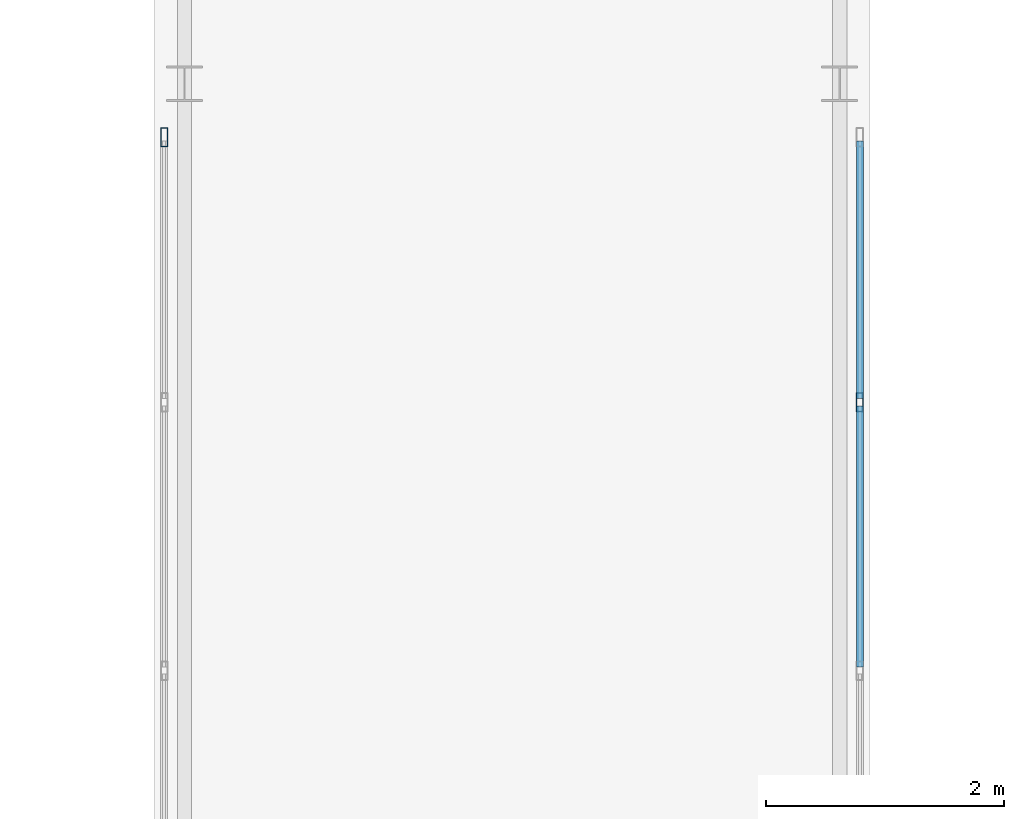
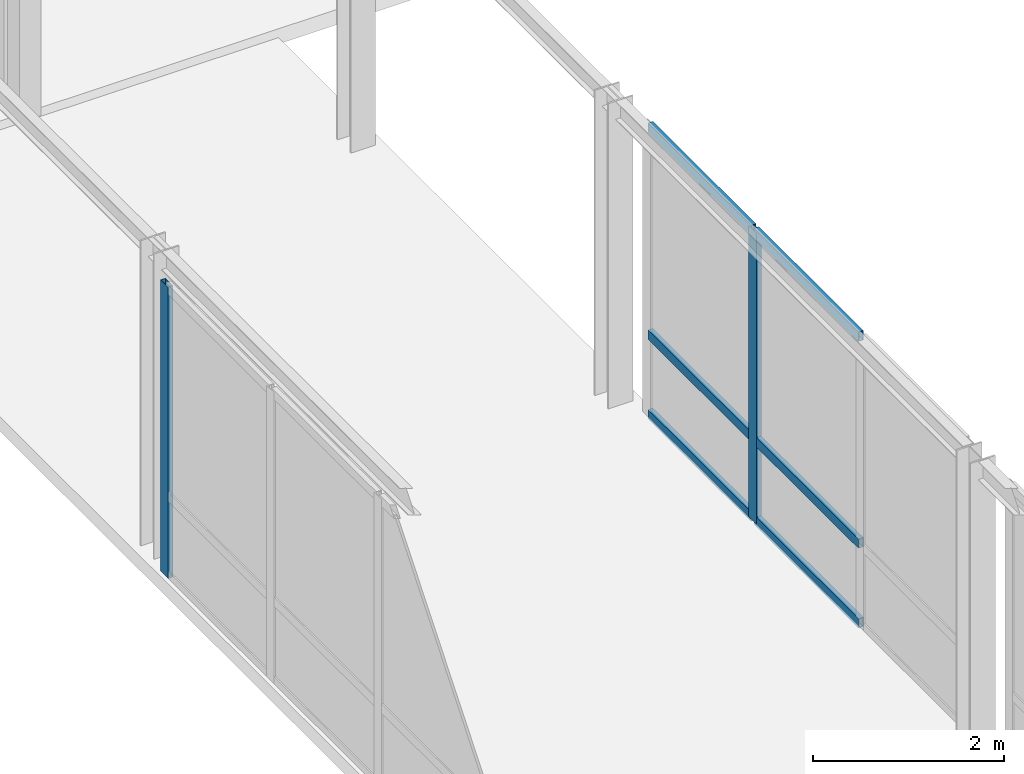
# One storey, part 89 of 189: 8 members, 2 elements without a shape of their own.
"""IFC4 building model written with IfcOpenShell, lengths in metres."""

from ifc_helpers import new_model, si_unit, direction, frame, origin, origin_2d, place, context, subcontext, project, spatial, hollow_rectangle, extrude, material, layer, layer_set, material_profile, profile_set, type_object, element, aggregate, save


model = new_model("IFC4")

# Units and contexts
model_context = context("Model", 3, precision=1e-05, world=origin(), true_north=direction((0.0, 1.0)))
body_context = subcontext(model_context, "Body", "Model", "MODEL_VIEW")
ifc_project = project(units=[si_unit("LENGTHUNIT", "METRE"), si_unit("AREAUNIT", "SQUARE_METRE"), si_unit("VOLUMEUNIT", "CUBIC_METRE"), si_unit("PLANEANGLEUNIT", "RADIAN"), si_unit("MASSUNIT", "GRAM", prefix="KILO")], contexts=[model_context])

# Site, building, storey
site_placement = place(None, origin())
site = spatial("IfcSite", under=ifc_project, at=site_placement, CompositionType="ELEMENT")
building_placement = place(site_placement, origin())
building = spatial("IfcBuilding", under=site, at=building_placement, Name="Montecoro Central Library", CompositionType="ELEMENT")
storey_placement = place(building_placement, frame((0.0, 0.0, 9.179931640625)))
storey = spatial("IfcBuildingStorey", under=building, at=storey_placement, Name="L02", CompositionType="ELEMENT", Elevation=9.179931640625)

# Curtain wall, member
ifc_material_1 = material(Name="Bronze-anodised aluminium and low-E glazing", Category="aluminium")
ifc_layer = layer(ifc_material_1, 0.159912109375)
ifc_layer_set = layer_set([ifc_layer], Name="Bronze-anodised aluminium and low-E glazing")
curtain_wall_type = type_object("IfcCurtainWallType", Name="CWT-078", PredefinedType="NOTDEFINED", material=ifc_layer_set)
curtain_wall_1_placement = place(storey_placement, origin())
curtain_wall_1 = element("IfcCurtainWall", 1, at=curtain_wall_1_placement, inside=storey, type_object=curtain_wall_type, Name="BR-N-L02-CW-W2", PredefinedType="NOTDEFINED")
ifc_material_2 = material(Name="Bronze-anodised aluminium", Category="aluminium")
ifc_material_profile_1 = material_profile(ifc_material_2, hollow_rectangle(XDim=0.06005859375, YDim=0.159912109375, WallThickness=0.00390625, at=origin_2d()), Name="CWM 160x60x4.0")
ifc_profile_set_1 = profile_set([ifc_material_profile_1], Name="Bronze-anodised aluminium")
member_type_1 = type_object("IfcMemberType", Name="CWM-BRZ-60", PredefinedType="MULLION", material=ifc_profile_set_1)
member_1_placement = place(storey_placement, frame((88.679931640625, 72.949951171875, 0.0), z_axis=(0.0, 0.0, 1.0), x_axis=(-1.0, 0.0, 0.0)))
member_1 = element("IfcMember", 2, at=member_1_placement, type_object=member_type_1, Name="CW-078 mullion 4", PredefinedType="MULLION", context=body_context, shape_type="SweptSolid", body=[
    extrude(hollow_rectangle(XDim=0.06005859375, YDim=0.159912109375, WallThickness=0.00390625, at=origin_2d()), origin(), (0.0, 0.0, 1.0), 3.72998046875),
])
aggregate(curtain_wall_1, [member_1])

# Curtain wall, members
curtain_wall_2_placement = place(storey_placement, origin())
curtain_wall_2 = element("IfcCurtainWall", 3, at=curtain_wall_2_placement, inside=storey, type_object=curtain_wall_type, Name="BR-N-L02-CW-E2", PredefinedType="NOTDEFINED")
member_2_placement = place(storey_placement, frame((94.52001953125, 70.7265625, 0.0), z_axis=(0.0, 0.0, 1.0), x_axis=(-1.0, 0.0, 0.0)))
member_2 = element("IfcMember", 4, at=member_2_placement, type_object=member_type_1, Name="CW-078 mullion 3", PredefinedType="MULLION", context=body_context, shape_type="SweptSolid", body=[
    extrude(hollow_rectangle(XDim=0.06005859375, YDim=0.159912109375, WallThickness=0.00390625, at=origin_2d()), origin(), (0.0, 0.0, 1.0), 3.72998046875),
])
ifc_material_profile_2 = material_profile(ifc_material_2, hollow_rectangle(XDim=0.06005859375, YDim=0.1201171875, WallThickness=0.00390625, at=origin_2d()), Name="CWT 120x60x4.0")
ifc_profile_set_2 = profile_set([ifc_material_profile_2], Name="Bronze-anodised aluminium")
member_type_2 = type_object("IfcMemberType", Name="CWT-BRZ-60", PredefinedType="USERDEFINED", material=ifc_profile_set_2)
member_3_placement = place(storey_placement, frame((94.52001953125, 68.50341796875, 0.030029296875), z_axis=(0.0, 1.0, 0.0), x_axis=(-1.0, 0.0, 0.0)))
member_3 = element("IfcMember", 5, at=member_3_placement, type_object=member_type_2, Name="CW-078 transom 2.1", ObjectType="TRANSOM", PredefinedType="USERDEFINED", context=body_context, shape_type="SweptSolid", body=[
    extrude(hollow_rectangle(XDim=0.06005859375, YDim=0.1201171875, WallThickness=0.00390625, at=origin_2d()), origin(), (0.0, 0.0, 1.0), 2.193359375),
])
member_4_placement = place(storey_placement, frame((94.52001953125, 68.50341796875, 1.050048828125), z_axis=(0.0, 1.0, 0.0), x_axis=(-1.0, 0.0, 0.0)))
member_4 = element("IfcMember", 6, at=member_4_placement, type_object=member_type_2, Name="CW-078 transom 2.2", ObjectType="TRANSOM", PredefinedType="USERDEFINED", context=body_context, shape_type="SweptSolid", body=[
    extrude(hollow_rectangle(XDim=0.06005859375, YDim=0.1201171875, WallThickness=0.00390625, at=origin_2d()), origin(), (0.0, 0.0, 1.0), 2.193359375),
])
member_5_placement = place(storey_placement, frame((94.52001953125, 68.50341796875, 3.699951171875), z_axis=(0.0, 1.0, 0.0), x_axis=(-1.0, 0.0, 0.0)))
member_5 = element("IfcMember", 7, at=member_5_placement, type_object=member_type_2, Name="CW-078 transom 2.3", ObjectType="TRANSOM", PredefinedType="USERDEFINED", context=body_context, shape_type="SweptSolid", body=[
    extrude(hollow_rectangle(XDim=0.06005859375, YDim=0.1201171875, WallThickness=0.00390625, at=origin_2d()), origin(), (0.0, 0.0, 1.0), 2.193359375),
])
member_6_placement = place(storey_placement, frame((94.52001953125, 70.756591796875, 0.030029296875), z_axis=(0.0, 1.0, 0.0), x_axis=(-1.0, 0.0, 0.0)))
member_6 = element("IfcMember", 8, at=member_6_placement, type_object=member_type_2, Name="CW-078 transom 3.1", ObjectType="TRANSOM", PredefinedType="USERDEFINED", context=body_context, shape_type="SweptSolid", body=[
    extrude(hollow_rectangle(XDim=0.06005859375, YDim=0.1201171875, WallThickness=0.00390625, at=origin_2d()), origin(), (0.0, 0.0, 1.0), 2.163330078125),
])
member_7_placement = place(storey_placement, frame((94.52001953125, 70.756591796875, 1.050048828125), z_axis=(0.0, 1.0, 0.0), x_axis=(-1.0, 0.0, 0.0)))
member_7 = element("IfcMember", 9, at=member_7_placement, type_object=member_type_2, Name="CW-078 transom 3.2", ObjectType="TRANSOM", PredefinedType="USERDEFINED", context=body_context, shape_type="SweptSolid", body=[
    extrude(hollow_rectangle(XDim=0.06005859375, YDim=0.1201171875, WallThickness=0.00390625, at=origin_2d()), origin(), (0.0, 0.0, 1.0), 2.163330078125),
])
member_8_placement = place(storey_placement, frame((94.52001953125, 70.756591796875, 3.699951171875), z_axis=(0.0, 1.0, 0.0), x_axis=(-1.0, 0.0, 0.0)))
member_8 = element("IfcMember", 10, at=member_8_placement, type_object=member_type_2, Name="CW-078 transom 3.3", ObjectType="TRANSOM", PredefinedType="USERDEFINED", context=body_context, shape_type="SweptSolid", body=[
    extrude(hollow_rectangle(XDim=0.06005859375, YDim=0.1201171875, WallThickness=0.00390625, at=origin_2d()), origin(), (0.0, 0.0, 1.0), 2.163330078125),
])
aggregate(curtain_wall_2, [member_2, member_3, member_4, member_5, member_6, member_7, member_8])

save(model, "model.ifc")
